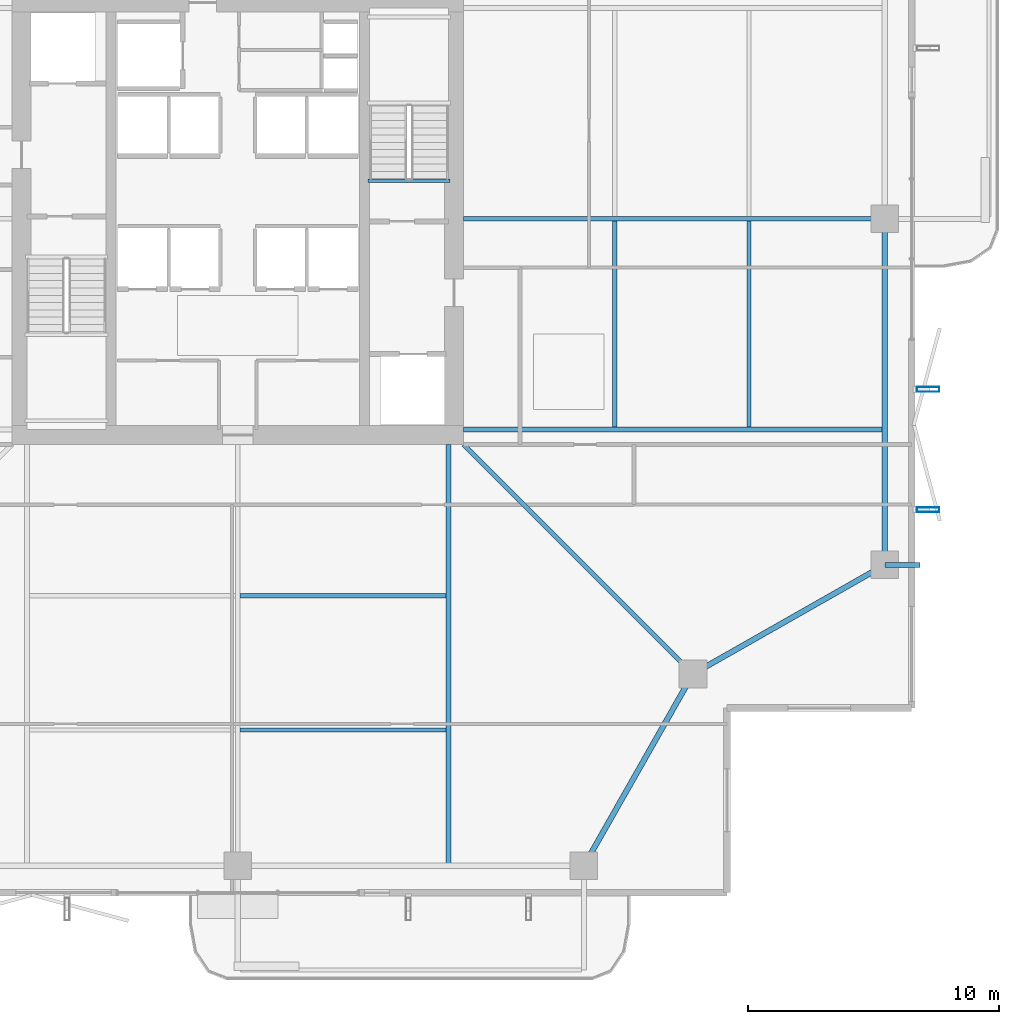
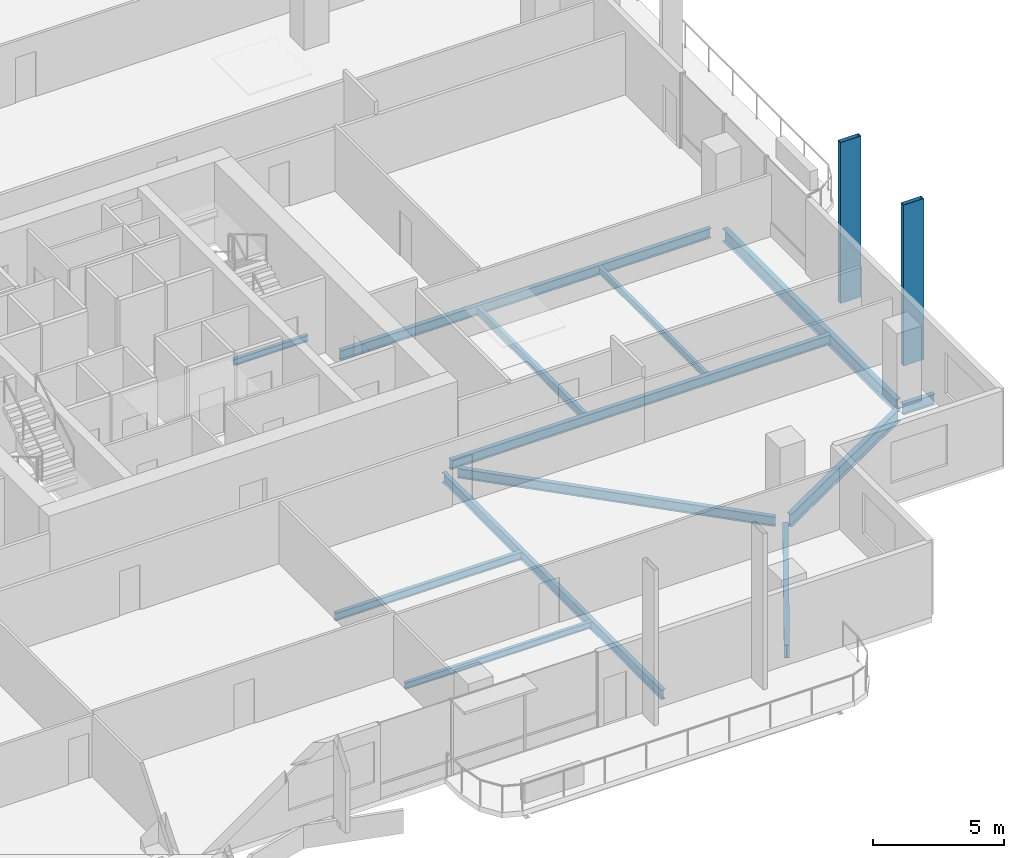
# One storey, part 7 of 24: 13 beams, 2 members.
"""IFC4 building model written with IfcOpenShell, lengths in metres."""

from ifc_helpers import new_model, si_unit, direction, frame, origin, origin_2d, place, context, subcontext, project, spatial, hollow_rectangle, i_section, extrude, material, material_profile, profile_set, type_object, element, save


model = new_model("IFC4")

# Units and contexts
model_context = context("Model", 3, precision=1e-05, world=origin(), true_north=direction((0.0, 1.0)))
body_context = subcontext(model_context, "Body", "Model", "MODEL_VIEW")
ifc_project = project(units=[si_unit("LENGTHUNIT", "METRE"), si_unit("AREAUNIT", "SQUARE_METRE"), si_unit("VOLUMEUNIT", "CUBIC_METRE"), si_unit("PLANEANGLEUNIT", "RADIAN"), si_unit("MASSUNIT", "GRAM", prefix="KILO")], contexts=[model_context])

# Site, building, storey
site_placement = place(None, origin())
site = spatial("IfcSite", under=ifc_project, at=site_placement, CompositionType="ELEMENT")
building_placement = place(site_placement, origin())
building = spatial("IfcBuilding", under=site, at=building_placement, Name="Belovzor Exchange Tower", CompositionType="ELEMENT")
storey_placement = place(building_placement, frame((0.0, 0.0, 211.199951171875)))
storey = spatial("IfcBuildingStorey", under=building, at=storey_placement, Name="L52", CompositionType="ELEMENT", Elevation=211.199951171875)

# Beams
ifc_material_1 = material(Name="Steel S355", Category="steel")
ifc_material_profile_1 = material_profile(ifc_material_1, i_section(OverallWidth=0.199951171875, OverallDepth=0.5, WebThickness=0.01025390625, FlangeThickness=0.01611328125, at=origin_2d()))
ifc_profile_set_1 = profile_set([ifc_material_profile_1], Name="Steel S355")
beam_type_1 = type_object("IfcBeamType", Name="Planted Balcony Cantilever Beam IPE 500", PredefinedType="BEAM", material=ifc_profile_set_1)
beam_1_placement = place(storey_placement, frame((54.60009765625, 15.0, -0.5), z_axis=(1.0, 0.0, 0.0), x_axis=(0.0, 1.0, 0.0)))
element("IfcBeam", 1, at=beam_1_placement, inside=storey, type_object=beam_type_1, Name="BC-500 Planted Balcony Cantilever Beam IPE 500", PredefinedType="BEAM", context=body_context, shape_type="SweptSolid", body=[
    extrude(i_section(OverallWidth=0.199951171875, OverallDepth=0.5, WebThickness=0.01025390625, FlangeThickness=0.01611328125, at=origin_2d()), origin(), (0.0, 0.0, 1.0), 1.39990234375),
])
ifc_material_2 = material(Name="Steel S355", Category="steel")
ifc_material_profile_2 = material_profile(ifc_material_2, i_section(OverallWidth=0.169921875, OverallDepth=0.360107421875, WebThickness=0.008056640625, FlangeThickness=0.0126953125, at=origin_2d()))
ifc_profile_set_2 = profile_set([ifc_material_profile_2], Name="Steel S355")
beam_type_2 = type_object("IfcBeamType", Name="Secondary Infill Floor Joist IPE 360", PredefinedType="BEAM", material=ifc_profile_set_2)
for number, where, z_axis, x_axis, name in (
    (2, (28.89501953125, 13.77197265625, -0.429931640625), (1.0, 0.0, 0.0), (0.0, 1.0, 0.0), "FJ-360 Secondary Infill Floor Joist IPE 360"),
    (3, (43.827880859375, 20.4951171875, -0.429931640625), (0.0, 1.0, 0.0), (-1.0, 0.0, 0.0), "FJ-360 Secondary Infill Floor Joist IPE 360"),
):
    element("IfcBeam", number, at=place(storey_placement, frame(where, z_axis=z_axis, x_axis=x_axis)), inside=storey, type_object=beam_type_2, Name=name, PredefinedType="BEAM", context=body_context, shape_type="SweptSolid", body=[
        extrude(i_section(OverallWidth=0.169921875, OverallDepth=0.360107421875, WebThickness=0.008056640625, FlangeThickness=0.0126953125, at=origin_2d()), origin(), (0.0, 0.0, 1.0), 8.2099609375),
    ])
ifc_material_3 = material(Name="Steel S355", Category="steel")
ifc_material_profile_3 = material_profile(ifc_material_3, i_section(OverallWidth=0.14990234375, OverallDepth=0.300048828125, WebThickness=0.007080078125, FlangeThickness=0.0107421875, at=origin_2d()))
ifc_profile_set_3 = profile_set([ifc_material_profile_3], Name="Steel S355")
beam_type_3 = type_object("IfcBeamType", Name="Secondary Trim Floor Joist IPE 300", PredefinedType="BEAM", material=ifc_profile_set_3)
beam_2_placement = place(storey_placement, frame((37.260009765625, 30.320068359375, -0.39990234375), z_axis=(-1.0, 0.0, 0.0), x_axis=(0.0, -1.0, 0.0)))
element("IfcBeam", 4, at=beam_2_placement, inside=storey, type_object=beam_type_3, Name="FJ-300 Secondary Trim Floor Joist IPE 300", PredefinedType="BEAM", context=body_context, shape_type="SweptSolid", body=[
    extrude(i_section(OverallWidth=0.14990234375, OverallDepth=0.300048828125, WebThickness=0.007080078125, FlangeThickness=0.0107421875, at=origin_2d()), origin(), (0.0, 0.0, 1.0), 3.27001953125),
])
for number, where, z_axis, x_axis, name in (
    (5, (28.89501953125, 8.4130859375, -0.39990234375), (1.0, 0.0, 0.0), (0.0, 1.0, 0.0), "FJ-300 Secondary Trim Floor Joist IPE 300"),
    (6, (49.18701171875, 20.4951171875, -0.39990234375), (0.0, 1.0, 0.0), (-1.0, 0.0, 0.0), "FJ-300 Secondary Trim Floor Joist IPE 300"),
):
    element("IfcBeam", number, at=place(storey_placement, frame(where, z_axis=z_axis, x_axis=x_axis)), inside=storey, type_object=beam_type_3, Name=name, PredefinedType="BEAM", context=body_context, shape_type="SweptSolid", body=[
        extrude(i_section(OverallWidth=0.14990234375, OverallDepth=0.300048828125, WebThickness=0.007080078125, FlangeThickness=0.0107421875, at=origin_2d()), origin(), (0.0, 0.0, 1.0), 8.2099609375),
    ])

# Members
ifc_material_4 = material(Name="Extruded Architectural Terracotta on Steel S355 Carrier", Category="masonry")
ifc_material_profile_4 = material_profile(ifc_material_4, hollow_rectangle(XDim=0.199951171875, YDim=0.89990234375, WallThickness=0.011962890625, at=origin_2d()))
ifc_profile_set_4 = profile_set([ifc_material_profile_4], Name="Extruded Architectural Terracotta on Steel S355 Carrier")
member_type = type_object("IfcMemberType", Name="Sweeping Terracotta Baguette Fin Assembly 950", PredefinedType="USERDEFINED", material=ifc_profile_set_4)
for number, where, z_axis, x_axis, name in (
    (7, (56.324951171875, 17.199951171875, -0.25), (0.0, 0.0, 1.0), (0.0, 1.0, 0.0), "FIN-TC095 Terracotta Facade Fin L52 E1"),
    (8, (56.324951171875, 22.0, -0.25), (0.0, 0.0, 1.0), (0.0, 1.0, 0.0), "FIN-TC095 Terracotta Facade Fin L52 E2"),
):
    element("IfcMember", number, at=place(storey_placement, frame(where, z_axis=z_axis, x_axis=x_axis)), inside=storey, type_object=member_type, Name=name, ObjectType="FIN", PredefinedType="USERDEFINED", context=body_context, shape_type="SweptSolid", body=[
        extrude(hollow_rectangle(XDim=0.199951171875, YDim=0.89990234375, WallThickness=0.011962890625, at=origin_2d()), origin(), (0.0, 0.0, 1.0), 7.5),
    ])

# Beams
ifc_material_5 = material(Name="Steel S355", Category="steel")
ifc_material_profile_5 = material_profile(ifc_material_5, i_section(OverallWidth=0.18994140625, OverallDepth=0.449951171875, WebThickness=0.009521484375, FlangeThickness=0.0146484375, at=origin_2d()))
ifc_profile_set_5 = profile_set([ifc_material_profile_5], Name="Steel S355")
beam_type_4 = type_object("IfcBeamType", Name="Zone 2-4 Radial Composite Floor Beam IPE 450", PredefinedType="BEAM", material=ifc_profile_set_5)
beam_3_placement = place(storey_placement, frame((37.199951171875, 19.800048828125, -0.474853515625), z_axis=(0.0, -1.0, 0.0), x_axis=(1.0, 0.0, 0.0)))
element("IfcBeam", 9, at=beam_3_placement, inside=storey, type_object=beam_type_4, Name="FB-450 Zone 2-4 Radial Composite Floor Beam IPE 450", PredefinedType="BEAM", context=body_context, shape_type="SweptSolid", body=[
    extrude(i_section(OverallWidth=0.18994140625, OverallDepth=0.449951171875, WebThickness=0.009521484375, FlangeThickness=0.0146484375, at=origin_2d()), origin(), (0.0, 0.0, 1.0), 16.7451171875),
])
beam_4_placement = place(storey_placement, frame((37.800048828125, 20.39990234375, -0.474853515625), z_axis=(1.0, 0.0, 0.0), x_axis=(0.0, 1.0, 0.0)))
element("IfcBeam", 10, at=beam_4_placement, inside=storey, type_object=beam_type_4, Name="FB-450 Zone 2-4 Radial Composite Floor Beam IPE 450", PredefinedType="BEAM", context=body_context, shape_type="SweptSolid", body=[
    extrude(i_section(OverallWidth=0.18994140625, OverallDepth=0.449951171875, WebThickness=0.009521484375, FlangeThickness=0.0146484375, at=origin_2d()), origin(), (0.0, 0.0, 1.0), 16.744873046875),
])
beam_5_placement = place(storey_placement, frame((37.800048828125, 28.800048828125, -0.474853515625), z_axis=(1.0, 0.0, 0.0), x_axis=(0.0, 1.0, 0.0)))
element("IfcBeam", 11, at=beam_5_placement, inside=storey, type_object=beam_type_4, Name="FB-450 Zone 2-4 Radial Composite Floor Beam IPE 450", PredefinedType="BEAM", context=body_context, shape_type="SweptSolid", body=[
    extrude(i_section(OverallWidth=0.18994140625, OverallDepth=0.449951171875, WebThickness=0.009521484375, FlangeThickness=0.0146484375, at=origin_2d()), origin(), (0.0, 0.0, 1.0), 16.31591796875),
])
beam_6_placement = place(storey_placement, frame((37.800048828125, 19.800048828125, -0.474853515625), z_axis=(0.707106781187, -0.707106781187, 0.0), x_axis=(0.707106781187, 0.707106781187, 0.0)))
element("IfcBeam", 12, at=beam_6_placement, inside=storey, type_object=beam_type_4, Name="FB-450 Zone 2-4 Radial Composite Floor Beam IPE 450", PredefinedType="BEAM", context=body_context, shape_type="SweptSolid", body=[
    extrude(i_section(OverallWidth=0.18994140625, OverallDepth=0.449951171875, WebThickness=0.009521484375, FlangeThickness=0.0146484375, at=origin_2d()), origin(), (0.0, 0.0, 1.0), 12.551025390625),
])
ifc_material_6 = material(Name="Steel S355", Category="steel")
ifc_material_profile_6 = material_profile(ifc_material_6, i_section(OverallWidth=0.219970703125, OverallDepth=0.60009765625, WebThickness=0.011962890625, FlangeThickness=0.01904296875, at=origin_2d()))
ifc_profile_set_6 = profile_set([ifc_material_profile_6], Name="Steel S355")
beam_type_5 = type_object("IfcBeamType", Name="Zone 4 Flare Primary Girder IPE 600", PredefinedType="BEAM", material=ifc_profile_set_6)
for number, where, z_axis, x_axis, name in (
    (13, (42.75, 3.262939453125, -0.550048828125), (0.494222323641, 0.869335547884, 0.0), (-0.869335547884, 0.494222323641, 0.0), "FG-Z4 Zone 4 Flare Primary Girder IPE 600"),
    (14, (47.212890625, 10.800048828125, -0.550048828125), (0.869335547884, 0.494222323641, 0.0), (-0.494222323641, 0.869335547884, 0.0), "FG-Z4 Zone 4 Flare Primary Girder IPE 600"),
):
    element("IfcBeam", number, at=place(storey_placement, frame(where, z_axis=z_axis, x_axis=x_axis)), inside=storey, type_object=beam_type_5, Name=name, PredefinedType="BEAM", context=body_context, shape_type="SweptSolid", body=[
        extrude(i_section(OverallWidth=0.219970703125, OverallDepth=0.60009765625, WebThickness=0.011962890625, FlangeThickness=0.01904296875, at=origin_2d()), origin(), (0.0, 0.0, 1.0), 8.19482421875),
    ])
beam_7_placement = place(storey_placement, frame((54.60009765625, 15.302978515625, -0.550048828125), z_axis=(0.0, 1.0, 0.0), x_axis=(-1.0, 0.0, 0.0)))
element("IfcBeam", 15, at=beam_7_placement, inside=storey, type_object=beam_type_5, Name="FG-Z4 Zone 4 Flare Primary Girder IPE 600", PredefinedType="BEAM", context=body_context, shape_type="SweptSolid", body=[
    extrude(i_section(OverallWidth=0.219970703125, OverallDepth=0.60009765625, WebThickness=0.011962890625, FlangeThickness=0.01904296875, at=origin_2d()), origin(), (0.0, 0.0, 1.0), 13.195068359375),
])

save(model, "model.ifc")
